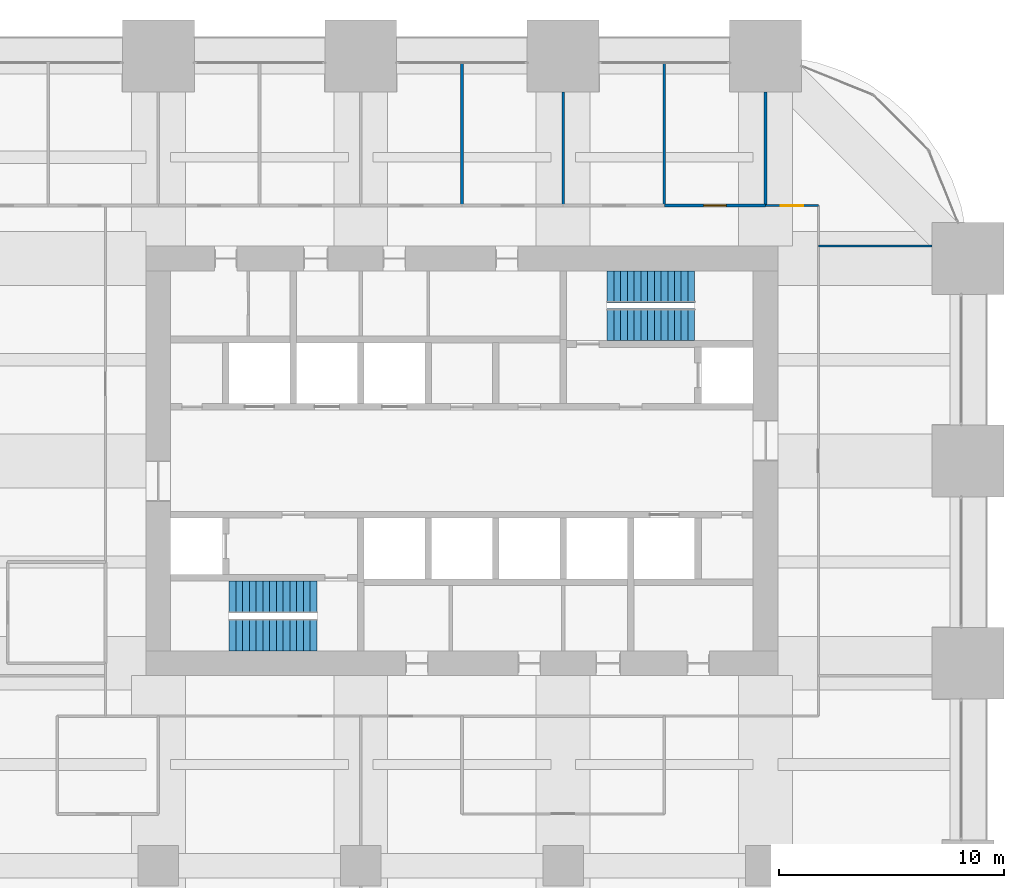
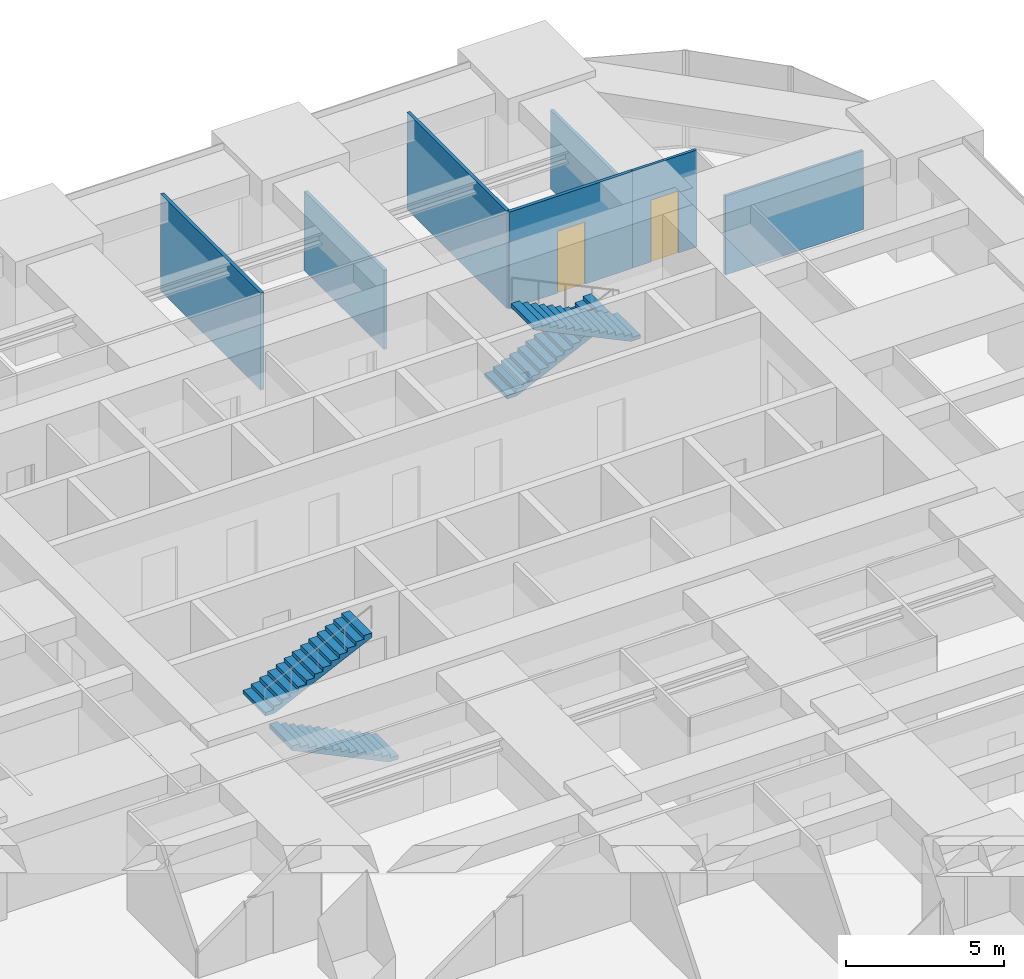
# One storey, part 34 of 36: 7 walls, 4 stair flights, 2 doors, 2 openings, 2 elements without a shape of their own.
"""IFC4 building model written with IfcOpenShell, lengths in metres."""

from ifc_helpers import new_model, si_unit, direction, frame, frame_2d, origin, place, context, subcontext, project, spatial, polyline, rectangle, outline, extrude, material, layer, layer_set, type_object, element, fill, aggregate, save


model = new_model("IFC4")

# Units and contexts
model_context = context("Model", 3, precision=1e-05, world=origin(), true_north=direction((0.0, 1.0)))
body_context = subcontext(model_context, "Body", "Model", "MODEL_VIEW")
ifc_project = project(units=[si_unit("LENGTHUNIT", "METRE"), si_unit("AREAUNIT", "SQUARE_METRE"), si_unit("VOLUMEUNIT", "CUBIC_METRE"), si_unit("PLANEANGLEUNIT", "RADIAN"), si_unit("MASSUNIT", "GRAM", prefix="KILO")], contexts=[model_context])

# Site, building, storey
site_placement = place(None, origin())
site = spatial("IfcSite", under=ifc_project, at=site_placement, CompositionType="ELEMENT")
building_placement = place(site_placement, origin())
building = spatial("IfcBuilding", under=site, at=building_placement, Name="Zorevar Civic Tower", CompositionType="ELEMENT")
storey_placement = place(building_placement, frame((0.0, 0.0, 166.199951171875)))
storey = spatial("IfcBuildingStorey", under=building, at=storey_placement, Name="L40", CompositionType="ELEMENT", Elevation=166.199951171875)

# Wall
ifc_material_1 = material(Name="Laminated glass in black aluminium frame", Category="aluminium")
ifc_layer_1 = layer(ifc_material_1, 0.10009765625)
ifc_layer_set_1 = layer_set([ifc_layer_1], Name="Glazed partition 100")
wall_type_1 = type_object("IfcWallType", Name="Glazed partition 100", PredefinedType="PARTITIONING", material=ifc_layer_set_1)
wall_1_placement = place(storey_placement, frame((47.35009765625, 36.550048828125, 0.0), z_axis=(0.0, 0.0, 1.0), x_axis=(1.0, 0.0, 0.0)))
element("IfcWall", 1, at=wall_1_placement, inside=storey, type_object=wall_type_1, Name="Glazed partition 100 L40", PredefinedType="PARTITIONING", context=body_context, shape_type="SweptSolid", body=[
    extrude(rectangle(XDim=5.0498046875, YDim=0.10009765625, at=frame_2d((2.52490234375, 0.0))), origin(), (0.0, 0.0, 1.0), 3.050048828125),
])

# Wall, opening, door
wall_2_placement = place(storey_placement, frame((45.0, 38.35009765625, 0.0), z_axis=(0.0, 0.0, 1.0), x_axis=(1.0, 0.0, 0.0)))
wall_2 = element("IfcWall", 2, at=wall_2_placement, inside=storey, type_object=wall_type_1, Name="Glazed partition 100 L40", PredefinedType="PARTITIONING", context=body_context, shape_type="SweptSolid", body=[
    extrude(rectangle(XDim=2.35009765625, YDim=0.10009765625, at=frame_2d((1.175048828125, 0.0))), origin(), (0.0, 0.0, 1.0), 3.75),
])
opening_1_placement = place(wall_2_placement, frame((0.675048828125, 0.0, 0.0)))
opening_1 = element("IfcOpeningElement", 3, at=opening_1_placement, cuts=wall_2, Name="Opening L40.35", PredefinedType="OPENING", context=body_context, shape_type="SweptSolid", body=[
    extrude(rectangle(XDim=1.0, YDim=2.39990234375, at=frame_2d((0.5, 1.199951171875))), frame((0.0, 0.06005859375, 0.0), z_axis=(0.0, -1.0, 0.0), x_axis=(1.0, 0.0, 0.0)), (0.0, 0.0, 1.0), 0.1201171875),
])
ifc_material_2 = material(Name="Timber door set", Category="wood")
door_type_1 = type_object("IfcDoorType", Name="Glazed door GD1 1000x2400", OperationType="SINGLE_SWING_LEFT", PredefinedType="DOOR", material=ifc_material_2)
door_1_placement = place(opening_1_placement, origin())
door_1 = element("IfcDoor", 4, at=door_1_placement, inside=storey, type_object=door_type_1, Name="Door L40 D1", OperationType="SINGLE_SWING_RIGHT", OverallHeight=2.39990234375, OverallWidth=1.0, PredefinedType="DOOR", context=body_context, shape_type="SweptSolid", body=[
    extrude(rectangle(XDim=1.0, YDim=2.39990234375, at=frame_2d((0.5, 1.199951171875))), frame((0.0, 0.02001953125, 0.0), z_axis=(0.0, -1.0, 0.0), x_axis=(1.0, 0.0, 0.0)), (0.0, 0.0, 1.0), 0.0400390625),
])
fill(opening_1, door_1)

ifc_material_3 = material(Name="Gypsum board on steel studs", Category="steel")
ifc_layer_2 = layer(ifc_material_3, 0.1201171875)
ifc_layer_set_2 = layer_set([ifc_layer_2], Name="Partition 120")
wall_type_2 = type_object("IfcWallType", Name="Partition 120", PredefinedType="PARTITIONING", material=ifc_layer_set_2)
wall_3_placement = place(storey_placement, frame((40.5, 38.35009765625, 0.0), z_axis=(0.0, 0.0, 1.0), x_axis=(1.0, 0.0, 0.0)))
wall_3 = element("IfcWall", 5, at=wall_3_placement, inside=storey, type_object=wall_type_2, Name="Partition 120 L40", PredefinedType="PARTITIONING", context=body_context, shape_type="SweptSolid", body=[
    extrude(rectangle(XDim=4.5, YDim=0.1201171875, at=frame_2d((2.25, 0.0))), origin(), (0.0, 0.0, 1.0), 3.75),
])
opening_2_placement = place(wall_3_placement, frame((1.75, 0.0, 0.0)))
opening_2 = element("IfcOpeningElement", 6, at=opening_2_placement, cuts=wall_3, Name="Opening L40.34", PredefinedType="OPENING", context=body_context, shape_type="SweptSolid", body=[
    extrude(rectangle(XDim=1.0, YDim=2.39990234375, at=frame_2d((0.5, 1.199951171875))), frame((0.0, 0.070068359375, 0.0), z_axis=(0.0, -1.0, 0.0), x_axis=(1.0, 0.0, 0.0)), (0.0, 0.0, 1.0), 0.14013671875),
])
ifc_material_4 = material(Name="Timber door set", Category="wood")
door_type_2 = type_object("IfcDoorType", Name="Door D1 1000x2400", OperationType="SINGLE_SWING_LEFT", PredefinedType="DOOR", material=ifc_material_4)
door_2_placement = place(opening_2_placement, origin())
door_2 = element("IfcDoor", 7, at=door_2_placement, inside=storey, type_object=door_type_2, Name="Door L40 D1", OperationType="SINGLE_SWING_LEFT", OverallHeight=2.39990234375, OverallWidth=1.0, PredefinedType="DOOR", context=body_context, shape_type="SweptSolid", body=[
    extrude(rectangle(XDim=1.0, YDim=2.39990234375, at=frame_2d((0.5, 1.199951171875))), frame((0.0, 0.02490234375, 0.0), z_axis=(0.0, -1.0, 0.0), x_axis=(1.0, 0.0, 0.0)), (0.0, 0.0, 1.0), 0.050048828125),
])
fill(opening_2, door_2)

# Walls
wall_4_placement = place(storey_placement, frame((31.5, 38.35009765625, 0.0), z_axis=(0.0, 0.0, 1.0), x_axis=(0.0, 1.0, 0.0)))
element("IfcWall", 8, at=wall_4_placement, inside=storey, type_object=wall_type_2, Name="Partition 120 L40", PredefinedType="PARTITIONING", context=body_context, shape_type="SweptSolid", body=[
    extrude(rectangle(XDim=6.33984375, YDim=0.1201171875, at=frame_2d((3.169921875, 0.0))), origin(), (0.0, 0.0, 1.0), 3.75),
])
wall_5_placement = place(storey_placement, frame((36.0, 38.35009765625, 0.0), z_axis=(0.0, 0.0, 1.0), x_axis=(0.0, 1.0, 0.0)))
element("IfcWall", 9, at=wall_5_placement, inside=storey, type_object=wall_type_2, Name="Partition 120 L40", PredefinedType="PARTITIONING", context=body_context, shape_type="SweptSolid", body=[
    extrude(rectangle(XDim=5.0498046875, YDim=0.1201171875, at=frame_2d((2.52490234375, 0.0))), origin(), (0.0, 0.0, 1.0), 3.050048828125),
])
wall_6_placement = place(storey_placement, frame((40.5, 38.35009765625, 0.0), z_axis=(0.0, 0.0, 1.0), x_axis=(0.0, 1.0, 0.0)))
element("IfcWall", 10, at=wall_6_placement, inside=storey, type_object=wall_type_2, Name="Partition 120 L40", PredefinedType="PARTITIONING", context=body_context, shape_type="SweptSolid", body=[
    extrude(rectangle(XDim=6.33984375, YDim=0.1201171875, at=frame_2d((3.169921875, 0.0))), origin(), (0.0, 0.0, 1.0), 3.75),
])
wall_7_placement = place(storey_placement, frame((45.0, 38.35009765625, 0.0), z_axis=(0.0, 0.0, 1.0), x_axis=(0.0, 1.0, 0.0)))
element("IfcWall", 11, at=wall_7_placement, inside=storey, type_object=wall_type_2, Name="Partition 120 L40", PredefinedType="PARTITIONING", context=body_context, shape_type="SweptSolid", body=[
    extrude(rectangle(XDim=5.0498046875, YDim=0.1201171875, at=frame_2d((2.52490234375, 0.0))), origin(), (0.0, 0.0, 1.0), 3.050048828125),
])

# Stair, stair flights
ifc_material_5 = material(Name="Precast concrete C40/50", Category="concrete")
stair_type = type_object("IfcStairType", Name="Stair ST 28R", PredefinedType="HALF_TURN_STAIR", material=ifc_material_5)
stair_1_placement = place(storey_placement, origin())
stair_1 = element("IfcStair", 12, at=stair_1_placement, inside=storey, type_object=stair_type, Name="Stair ST1 L40", PredefinedType="HALF_TURN_STAIR")
ifc_material_6 = material(Name="Precast concrete C40/50", Category="concrete")
stair_flight_type = type_object("IfcStairFlightType", Name="Stair flight", PredefinedType="STRAIGHT", material=ifc_material_6)
stair_flight_1_placement = place(storey_placement, frame((25.050048828125, 19.262451171875, 0.0), z_axis=(0.0, 0.0, 1.0), x_axis=(-1.0, 0.0, 0.0)))
stair_flight_1 = element("IfcStairFlight", 13, at=stair_flight_1_placement, type_object=stair_flight_type, Name="ST1 flight 1", NumberOfRisers=14, NumberOfTreads=13, PredefinedType="STRAIGHT", RiserHeight=0.142857143, TreadLength=0.3, context=body_context, shape_type="SweptSolid", body=[
    extrude(outline(polyline([(0.0, 0.0), (0.0, 0.142822265625), (0.300048828125, 0.142822265625), (0.300048828125, 0.28564453125), (0.60009765625, 0.28564453125), (0.60009765625, 0.428466796875), (0.89990234375, 0.428466796875), (0.89990234375, 0.571533203125), (1.199951171875, 0.571533203125), (1.199951171875, 0.71435546875), (1.5, 0.71435546875), (1.5, 0.857177734375), (1.800048828125, 0.857177734375), (1.800048828125, 1.0), (2.10009765625, 1.0), (2.10009765625, 1.142822265625), (2.39990234375, 1.142822265625), (2.39990234375, 1.28564453125), (2.699951171875, 1.28564453125), (2.699951171875, 1.428466796875), (3.0, 1.428466796875), (3.0, 1.571533203125), (3.300048828125, 1.571533203125), (3.300048828125, 1.71435546875), (3.60009765625, 1.71435546875), (3.60009765625, 1.857177734375), (3.89990234375, 1.857177734375), (3.89990234375, 2.0), (3.89990234375, 1.691162109375), (0.3486328125, 0.0), (0.0, 0.0)])), frame((0.0, 0.71240234375, 0.0), z_axis=(0.0, -1.0, 0.0), x_axis=(1.0, 0.0, 0.0)), (0.0, 0.0, 1.0), 1.425048828125),
])
stair_flight_2_placement = place(storey_placement, frame((21.14990234375, 20.9375, 2.0), z_axis=(0.0, 0.0, 1.0), x_axis=(1.0, 0.0, 0.0)))
stair_flight_2 = element("IfcStairFlight", 14, at=stair_flight_2_placement, type_object=stair_flight_type, Name="ST1 flight 2", NumberOfRisers=14, NumberOfTreads=13, PredefinedType="STRAIGHT", RiserHeight=0.142857143, TreadLength=0.3, context=body_context, shape_type="SweptSolid", body=[
    extrude(outline(polyline([(0.0, 0.0), (0.0, 0.142822265625), (0.300048828125, 0.142822265625), (0.300048828125, 0.28564453125), (0.60009765625, 0.28564453125), (0.60009765625, 0.428466796875), (0.89990234375, 0.428466796875), (0.89990234375, 0.571533203125), (1.199951171875, 0.571533203125), (1.199951171875, 0.71435546875), (1.5, 0.71435546875), (1.5, 0.857177734375), (1.800048828125, 0.857177734375), (1.800048828125, 1.0), (2.10009765625, 1.0), (2.10009765625, 1.142822265625), (2.39990234375, 1.142822265625), (2.39990234375, 1.28564453125), (2.699951171875, 1.28564453125), (2.699951171875, 1.428466796875), (3.0, 1.428466796875), (3.0, 1.571533203125), (3.300048828125, 1.571533203125), (3.300048828125, 1.71435546875), (3.60009765625, 1.71435546875), (3.60009765625, 1.857177734375), (3.89990234375, 1.857177734375), (3.89990234375, 2.0), (3.89990234375, 1.691162109375), (0.3486328125, 0.0), (0.0, 0.0)])), frame((0.0, 0.71240234375, 0.0), z_axis=(0.0, -1.0, 0.0), x_axis=(1.0, 0.0, 0.0)), (0.0, 0.0, 1.0), 1.425048828125),
])
aggregate(stair_1, [stair_flight_1, stair_flight_2])

stair_2_placement = place(storey_placement, origin())
stair_2 = element("IfcStair", 15, at=stair_2_placement, inside=storey, type_object=stair_type, Name="Stair ST2 L40", PredefinedType="HALF_TURN_STAIR")
stair_flight_3_placement = place(storey_placement, frame((37.949951171875, 34.737548828125, 0.0), z_axis=(0.0, 0.0, 1.0), x_axis=(1.0, 0.0, 0.0)))
stair_flight_3 = element("IfcStairFlight", 16, at=stair_flight_3_placement, type_object=stair_flight_type, Name="ST2 flight 1", NumberOfRisers=14, NumberOfTreads=13, PredefinedType="STRAIGHT", RiserHeight=0.142857143, TreadLength=0.3, context=body_context, shape_type="SweptSolid", body=[
    extrude(outline(polyline([(0.0, 0.0), (0.0, 0.142822265625), (0.300048828125, 0.142822265625), (0.300048828125, 0.28564453125), (0.60009765625, 0.28564453125), (0.60009765625, 0.428466796875), (0.89990234375, 0.428466796875), (0.89990234375, 0.571533203125), (1.199951171875, 0.571533203125), (1.199951171875, 0.71435546875), (1.5, 0.71435546875), (1.5, 0.857177734375), (1.800048828125, 0.857177734375), (1.800048828125, 1.0), (2.10009765625, 1.0), (2.10009765625, 1.142822265625), (2.39990234375, 1.142822265625), (2.39990234375, 1.28564453125), (2.699951171875, 1.28564453125), (2.699951171875, 1.428466796875), (3.0, 1.428466796875), (3.0, 1.571533203125), (3.300048828125, 1.571533203125), (3.300048828125, 1.71435546875), (3.60009765625, 1.71435546875), (3.60009765625, 1.857177734375), (3.89990234375, 1.857177734375), (3.89990234375, 2.0), (3.89990234375, 1.691162109375), (0.3486328125, 0.0), (0.0, 0.0)])), frame((0.0, 0.71240234375, 0.0), z_axis=(0.0, -1.0, 0.0), x_axis=(1.0, 0.0, 0.0)), (0.0, 0.0, 1.0), 1.425048828125),
])
stair_flight_4_placement = place(storey_placement, frame((41.85009765625, 33.0625, 2.0), z_axis=(0.0, 0.0, 1.0), x_axis=(-1.0, 0.0, 0.0)))
stair_flight_4 = element("IfcStairFlight", 17, at=stair_flight_4_placement, type_object=stair_flight_type, Name="ST2 flight 2", NumberOfRisers=14, NumberOfTreads=13, PredefinedType="STRAIGHT", RiserHeight=0.142857143, TreadLength=0.3, context=body_context, shape_type="SweptSolid", body=[
    extrude(outline(polyline([(0.0, 0.0), (0.0, 0.142822265625), (0.300048828125, 0.142822265625), (0.300048828125, 0.28564453125), (0.60009765625, 0.28564453125), (0.60009765625, 0.428466796875), (0.89990234375, 0.428466796875), (0.89990234375, 0.571533203125), (1.199951171875, 0.571533203125), (1.199951171875, 0.71435546875), (1.5, 0.71435546875), (1.5, 0.857177734375), (1.800048828125, 0.857177734375), (1.800048828125, 1.0), (2.10009765625, 1.0), (2.10009765625, 1.142822265625), (2.39990234375, 1.142822265625), (2.39990234375, 1.28564453125), (2.699951171875, 1.28564453125), (2.699951171875, 1.428466796875), (3.0, 1.428466796875), (3.0, 1.571533203125), (3.300048828125, 1.571533203125), (3.300048828125, 1.71435546875), (3.60009765625, 1.71435546875), (3.60009765625, 1.857177734375), (3.89990234375, 1.857177734375), (3.89990234375, 2.0), (3.89990234375, 1.691162109375), (0.3486328125, 0.0), (0.0, 0.0)])), frame((0.0, 0.71240234375, 0.0), z_axis=(0.0, -1.0, 0.0), x_axis=(1.0, 0.0, 0.0)), (0.0, 0.0, 1.0), 1.425048828125),
])
aggregate(stair_2, [stair_flight_3, stair_flight_4])

save(model, "model.ifc")
